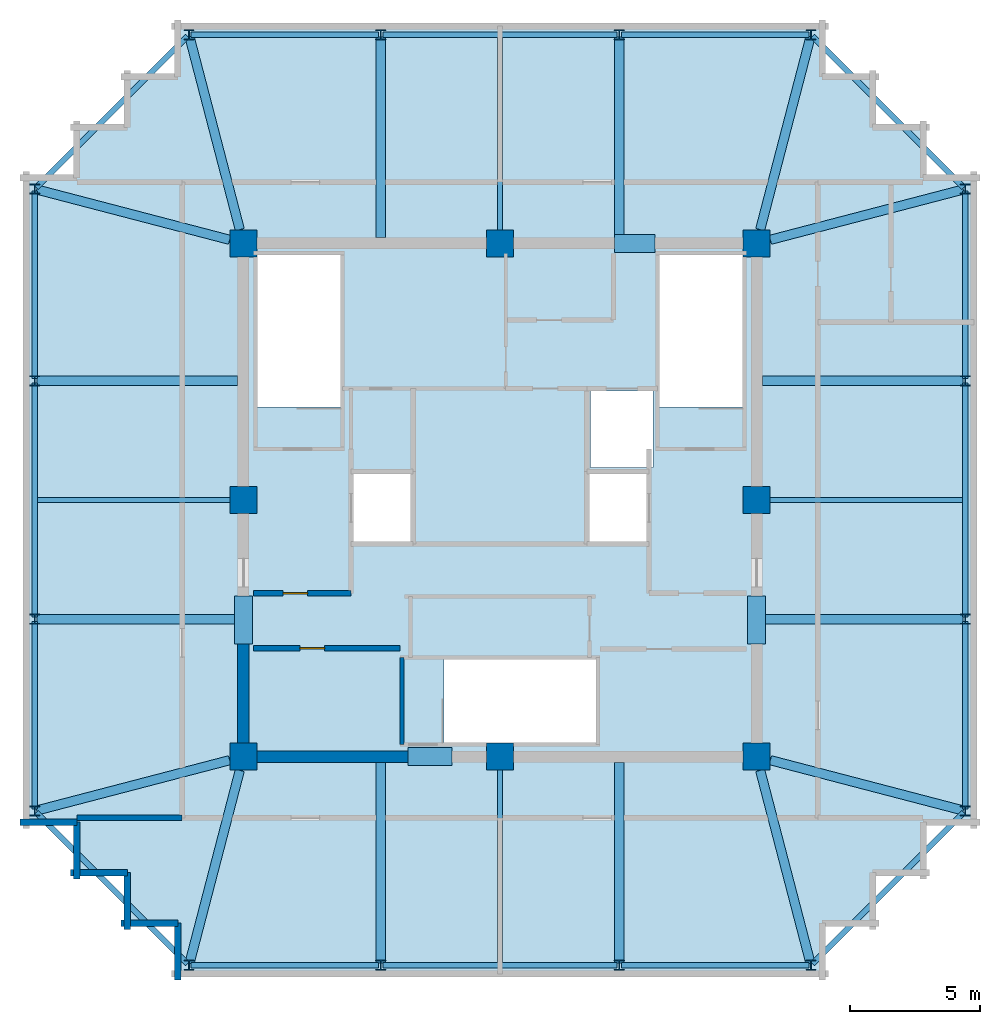
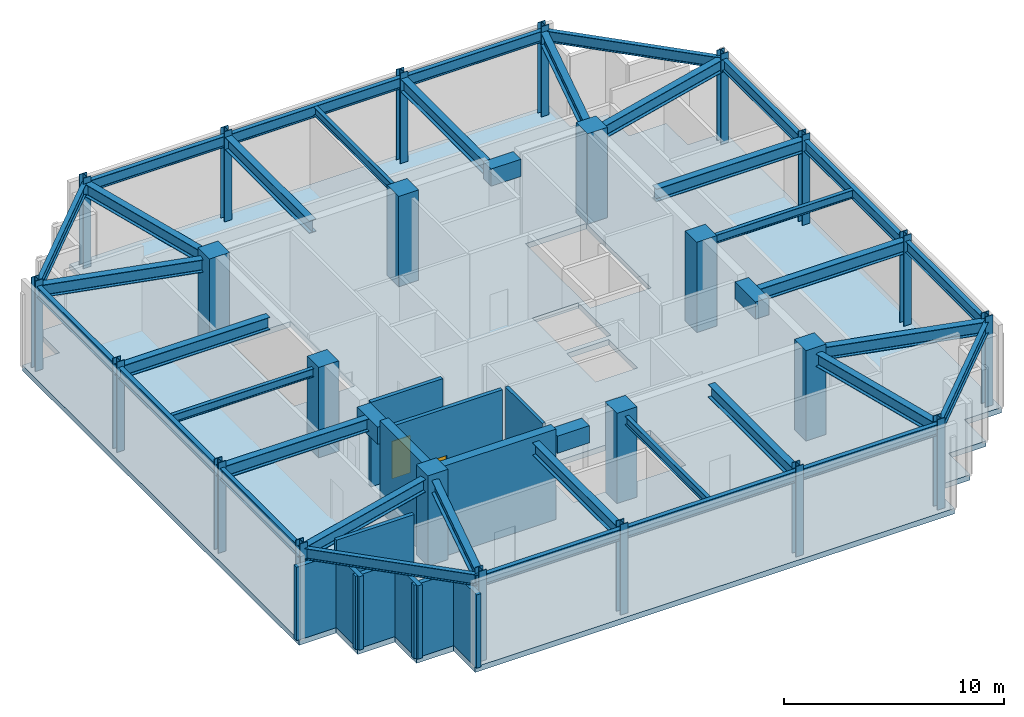
# One storey, part 1 of 4: 40 beams, 24 columns, 12 walls, 2 doors, 1 slab, 2 openings.
"""IFC4 building model written with IfcOpenShell, lengths in metres."""

import ifcopenshell
import ifcopenshell.guid

model = None  # the IFC model being written
_history = None  # IfcOwnerHistory: only IFC2X3 demands one
_inside = {}  # id of a spatial element -> (the spatial element, [elements in it])
_under = {}  # id of a project, library or spatial element -> (it, [spatial elements below it])
_declared = {}  # id of a project -> (the project, [libraries it declares])
_typed = {}  # id of a type object -> (the type object, [elements of that type])
_made_of = {}  # id of a material, layer set ... -> (it, [elements and type objects made of it])


def new_model(schema):
    """Start an empty IFC model of exactly this schema.

    Asked for "IFC4X3", IfcOpenShell would pick the latest addendum, in which some entities
    have other attributes; the version numbers below select the first issue.
    IFC2X3 requires an IfcOwnerHistory on every rooted entity: one is made here for all.
    """
    global model, _history
    if schema == "IFC4X3":
        model = ifcopenshell.file(schema_version=(4, 3, 0, 0))
    else:
        model = ifcopenshell.file(schema=schema)
    _inside.clear()
    _under.clear()
    _declared.clear()
    _typed.clear()
    _made_of.clear()
    _history = None
    if model.schema == "IFC2X3":
        org = make("IfcOrganization", Name="unknown")
        user = make(
            "IfcPersonAndOrganization",
            ThePerson=make("IfcPerson", FamilyName="unknown"),
            TheOrganization=org,
        )
        app = make(
            "IfcApplication",
            ApplicationDeveloper=org,
            Version="unknown",
            ApplicationFullName="unknown",
            ApplicationIdentifier="unknown",
        )
        _history = make(
            "IfcOwnerHistory",
            OwningUser=user,
            OwningApplication=app,
            ChangeAction="ADDED",
            CreationDate=0,
        )
    return model


def make(cls, **values):
    """One entity of the class cls with the attributes given. An attribute that is None is left unset."""
    return model.create_entity(
        cls, **{name: value for name, value in values.items() if value is not None}
    )


def rooted(cls, **values):
    """An entity with a GlobalId (a new one), such as an element, a storey or a relation."""
    return make(cls, GlobalId=ifcopenshell.guid.new(), OwnerHistory=_history, **values)


def si_unit(unit_type, name, prefix=None):
    """IfcSIUnit, for example si_unit("LENGTHUNIT", "METRE", prefix="MILLI")."""
    return make("IfcSIUnit", UnitType=unit_type, Prefix=prefix, Name=name)


def assignment(units):
    """IfcUnitAssignment: the units of a project."""
    return None if units is None else make("IfcUnitAssignment", Units=units)


def point(xyz):
    """IfcCartesianPoint."""
    return None if xyz is None else make("IfcCartesianPoint", Coordinates=xyz)


def direction(xyz):
    """IfcDirection."""
    return None if xyz is None else make("IfcDirection", DirectionRatios=xyz)


def frame(location, z_axis=None, x_axis=None):
    """IfcAxis2Placement3D, a coordinate frame: its origin and axes. An axis left out is left unset."""
    return make(
        "IfcAxis2Placement3D",
        Location=point(location),
        Axis=direction(z_axis),
        RefDirection=direction(x_axis),
    )


def frame_2d(location, x_axis=None):
    """IfcAxis2Placement2D, a coordinate frame in the plane: its origin and x axis."""
    return make(
        "IfcAxis2Placement2D", Location=point(location), RefDirection=direction(x_axis)
    )


def origin():
    """The frame at (0, 0, 0) with its axes left unset."""
    return frame((0.0, 0.0, 0.0))


def origin_2d():
    """The frame at (0, 0) in the plane with its x axis left unset."""
    return frame_2d((0.0, 0.0))


def place(relative_to, where):
    """IfcLocalPlacement: puts the frame where relative to a parent placement (None: the world)."""
    return make(
        "IfcLocalPlacement", PlacementRelTo=relative_to, RelativePlacement=where
    )


def context(
    kind, dimensions, precision=None, world=None, true_north=None, identifier=None
):
    """IfcGeometricRepresentationContext, for example the 3D "Model" context."""
    return make(
        "IfcGeometricRepresentationContext",
        ContextIdentifier=identifier,
        ContextType=kind,
        CoordinateSpaceDimension=dimensions,
        Precision=precision,
        WorldCoordinateSystem=world,
        TrueNorth=true_north,
    )


def subcontext(parent, identifier, kind, view, scale=None):
    """IfcGeometricRepresentationSubContext, for example "Body" below "Model"."""
    return make(
        "IfcGeometricRepresentationSubContext",
        ContextIdentifier=identifier,
        ContextType=kind,
        ParentContext=parent,
        TargetScale=scale,
        TargetView=view,
    )


def project(units=None, contexts=None):
    """IfcProject with its units and contexts."""
    return rooted(
        "IfcProject",
        Name="project",
        RepresentationContexts=contexts,
        UnitsInContext=assignment(units),
    )


def spatial(cls, under=None, at=None, **own):
    """A site, building, storey or space (cls), placed at a placement, below another one or the project."""
    s = rooted(cls, ObjectPlacement=at, **own)
    if under is not None:
        _under.setdefault(under.id(), (under, []))[1].append(s)
    return s


def polyline(points):
    """IfcPolyline through the points."""
    return make("IfcPolyline", Points=[point(p) for p in points])


def profile(cls, at=None, kind="AREA", **sizes):
    """A parametric profile (cls). Its sizes go by their IFC names, for example OverallWidth=200.0."""
    return make(cls, ProfileType=kind, Position=at, **sizes)


def rectangle(**sizes):
    """IfcRectangleProfileDef."""
    return profile("IfcRectangleProfileDef", **sizes)


def i_section(**sizes):
    """IfcIShapeProfileDef."""
    return profile("IfcIShapeProfileDef", **sizes)


def outline(outer, holes=None, kind="AREA"):
    """IfcArbitraryClosedProfileDef: a profile drawn as a closed curve; with holes, ...WithVoids."""
    if holes is None:
        return make("IfcArbitraryClosedProfileDef", ProfileType=kind, OuterCurve=outer)
    return make(
        "IfcArbitraryProfileDefWithVoids",
        ProfileType=kind,
        OuterCurve=outer,
        InnerCurves=holes,
    )


def extrude(swept, where, along, depth):
    """IfcExtrudedAreaSolid: the profile swept, set in the frame where, extruded along a direction by depth."""
    return make(
        "IfcExtrudedAreaSolid",
        SweptArea=swept,
        Position=where,
        ExtrudedDirection=direction(along),
        Depth=depth,
    )


def shape(context_of_items, identifier, shape_type, items):
    """IfcShapeRepresentation: the items that make up one representation, for example the "Body"."""
    return make(
        "IfcShapeRepresentation",
        ContextOfItems=context_of_items,
        RepresentationIdentifier=identifier,
        RepresentationType=shape_type,
        Items=items,
    )


def material(Name=None, Category=None):
    """IfcMaterial."""
    return make("IfcMaterial", Name=Name, Category=Category)


def layer(
    of_material, thickness, ventilated=None, Name=None, Category=None, Priority=None
):
    """IfcMaterialLayer: one layer of a wall or slab, of a material (None: an air gap)."""
    return make(
        "IfcMaterialLayer",
        Material=of_material,
        LayerThickness=thickness,
        IsVentilated=ventilated,
        Name=Name,
        Category=Category,
        Priority=Priority,
    )


def layer_set(layers, Name=None):
    """IfcMaterialLayerSet."""
    return make("IfcMaterialLayerSet", MaterialLayers=layers, LayerSetName=Name)


def material_profile(
    of_material, cross_section, Name=None, Category=None, Priority=None
):
    """IfcMaterialProfile: a cross section and its material."""
    return make(
        "IfcMaterialProfile",
        Name=Name,
        Material=of_material,
        Profile=cross_section,
        Priority=Priority,
        Category=Category,
    )


def profile_set(profiles, Name=None, composite=None):
    """IfcMaterialProfileSet."""
    return make(
        "IfcMaterialProfileSet",
        Name=Name,
        MaterialProfiles=profiles,
        CompositeProfile=composite,
    )


def made_of(thing, what):
    """Note that an element or type object is made of a material, layer set ...; save() writes the relation."""
    if what is not None:
        _made_of.setdefault(what.id(), (what, []))[1].append(thing)
    return thing


def type_object(cls, material=None, **own):
    """A type object (cls), such as IfcWallType, which elements share."""
    return made_of(rooted(cls, **own), material)


def element(
    cls,
    number,
    at=None,
    inside=None,
    cuts=None,
    type_object=None,
    material=None,
    context=None,
    identifier="Body",
    shape_type=None,
    held_by="IfcProductDefinitionShape",
    body=None,
    shapes=None,
    **own,
):
    """One element of the class cls, such as IfcWall. Its Tag is "e" and its number.

    at: its placement. inside: the storey or other place that contains it. cuts: it is an
    opening in that element (IfcRelVoidsElement). A single representation is given by context,
    identifier, shape_type and body (its items); several are given by shapes. held_by: the class
    of the entity that holds the representations. save() writes the other relations.
    """
    e = rooted(cls, Tag="e%d" % number, ObjectPlacement=at, **own)
    if body is not None:
        shapes = [shape(context, identifier, shape_type, body)]
    if shapes is not None:
        e.Representation = make(held_by, Representations=shapes)
    if inside is not None:
        _inside.setdefault(inside.id(), (inside, []))[1].append(e)
    if cuts is not None:
        rooted(
            "IfcRelVoidsElement", RelatingBuildingElement=cuts, RelatedOpeningElement=e
        )
    if type_object is not None:
        _typed.setdefault(type_object.id(), (type_object, []))[1].append(e)
    return made_of(e, material)


def fill(opening, filler):
    """IfcRelFillsElement: the door or window that sits in an opening."""
    return rooted(
        "IfcRelFillsElement",
        RelatingOpeningElement=opening,
        RelatedBuildingElement=filler,
    )


def aggregate(whole, parts):
    """IfcRelAggregates: a whole, such as a stair, and the parts it consists of."""
    return rooted("IfcRelAggregates", RelatingObject=whole, RelatedObjects=parts)


def save(model, path):
    """Write the relations noted so far, then the file.

    IfcRelAggregates (storeys below a building ...), IfcRelContainedInSpatialStructure (elements
    in a storey), IfcRelDefinesByType, IfcRelAssociatesMaterial and IfcRelDeclares: one each for
    every whole, place, type object, material and project.
    """
    for whole, parts in _under.values():
        aggregate(whole, parts)
    for where, things in _inside.values():
        rooted(
            "IfcRelContainedInSpatialStructure",
            RelatedElements=things,
            RelatingStructure=where,
        )
    for kind, things in _typed.values():
        rooted("IfcRelDefinesByType", RelatedObjects=things, RelatingType=kind)
    for what, things in _made_of.values():
        rooted("IfcRelAssociatesMaterial", RelatedObjects=things, RelatingMaterial=what)
    for by, libraries in _declared.values():
        rooted("IfcRelDeclares", RelatingContext=by, RelatedDefinitions=libraries)
    model.write(path)


model = new_model("IFC4")

# Units and contexts
model_context = context("Model", 3, precision=1e-05, world=origin(), true_north=direction((0.0, 1.0)))
body_context = subcontext(model_context, "Body", "Model", "MODEL_VIEW")
ifc_project = project(units=[si_unit("LENGTHUNIT", "METRE"), si_unit("AREAUNIT", "SQUARE_METRE"), si_unit("VOLUMEUNIT", "CUBIC_METRE"), si_unit("PLANEANGLEUNIT", "RADIAN"), si_unit("MASSUNIT", "GRAM", prefix="KILO")], contexts=[model_context])

# Site, building, storey
site_placement = place(None, origin())
site = spatial("IfcSite", under=ifc_project, at=site_placement, CompositionType="ELEMENT")
building_placement = place(site_placement, origin())
building = spatial("IfcBuilding", under=site, at=building_placement, Name="Kolvaren Belvedere", CompositionType="ELEMENT")
storey_placement = place(building_placement, frame((0.0, 0.0, 282.39990234375)))
storey = spatial("IfcBuildingStorey", under=building, at=storey_placement, Name="L80", CompositionType="ELEMENT", Elevation=282.39990234375)

# Columns
ifc_material_1 = material(Name="Concrete C50/60", Category="concrete")
ifc_material_profile_1 = material_profile(ifc_material_1, rectangle(XDim=1.050048828125, YDim=1.050048828125, at=origin_2d()), Name="RC 1050X1050")
ifc_profile_set_1 = profile_set([ifc_material_profile_1], Name="Concrete C50/60")
column_type_1 = type_object("IfcColumnType", Name="COL-RC-1050", PredefinedType="COLUMN", material=ifc_profile_set_1)
for number, where, z_axis, x_axis, name in (
    (1, (-9.89990234375, -9.89990234375, 0.0), (0.0, 0.0, 1.0), (1.0, 0.0, 0.0), "L80 Core Column CC1"),
    (2, (9.89990234375, -9.89990234375, 0.0), (0.0, 0.0, 1.0), (1.0, 0.0, 0.0), "L80 Core Column CC2"),
    (3, (9.89990234375, 9.89990234375, 0.0), (0.0, 0.0, 1.0), (1.0, 0.0, 0.0), "L80 Core Column CC3"),
    (4, (-9.89990234375, 9.89990234375, 0.0), (0.0, 0.0, 1.0), (1.0, 0.0, 0.0), "L80 Core Column CC4"),
    (5, (0.0, -9.89990234375, 0.0), (0.0, 0.0, 1.0), (1.0, 0.0, 0.0), "L80 Core Column CM1"),
    (6, (9.89990234375, 0.0, 0.0), (0.0, 0.0, 1.0), (1.0, 0.0, 0.0), "L80 Core Column CM2"),
    (7, (0.0, 9.89990234375, 0.0), (0.0, 0.0, 1.0), (1.0, 0.0, 0.0), "L80 Core Column CM3"),
    (8, (-9.89990234375, 0.0, 0.0), (0.0, 0.0, 1.0), (1.0, 0.0, 0.0), "L80 Core Column CM4"),
):
    element("IfcColumn", number, at=place(storey_placement, frame(where, z_axis=z_axis, x_axis=x_axis)), inside=storey, type_object=column_type_1, Name=name, PredefinedType="COLUMN", context=body_context, shape_type="SweptSolid", body=[
        extrude(rectangle(XDim=1.050048828125, YDim=1.050048828125, at=origin_2d()), origin(), (0.0, 0.0, 1.0), 5.0),
    ])
ifc_material_2 = material(Name="Structural steel ASTM A992 Grade 50", Category="steel")
ifc_material_profile_2 = material_profile(ifc_material_2, i_section(OverallWidth=0.39892578125, OverallDepth=0.386962890625, WebThickness=0.02099609375, FlangeThickness=0.033203125, FilletRadius=0.02490234375, at=origin_2d()), Name="W14X176")
ifc_profile_set_2 = profile_set([ifc_material_profile_2], Name="Structural steel ASTM A992 Grade 50")
column_type_2 = type_object("IfcColumnType", Name="COL-ST-W14X176", PredefinedType="COLUMN", material=ifc_profile_set_2)
for number, where, z_axis, x_axis, name in (
    (9, (-12.0, -17.949951171875, 0.0), (0.0, 0.0, 1.0), (1.0, 0.0, 0.0), "L80 Perimeter Column S1"),
    (10, (-4.60009765625, -17.949951171875, 0.0), (0.0, 0.0, 1.0), (1.0, 0.0, 0.0), "L80 Perimeter Column S2"),
    (11, (4.60009765625, -17.949951171875, 0.0), (0.0, 0.0, 1.0), (1.0, 0.0, 0.0), "L80 Perimeter Column S3"),
    (12, (12.0, -17.949951171875, 0.0), (0.0, 0.0, 1.0), (1.0, 0.0, 0.0), "L80 Perimeter Column S4"),
    (13, (-12.0, 17.949951171875, 0.0), (0.0, 0.0, 1.0), (1.0, 0.0, 0.0), "L80 Perimeter Column N1"),
    (14, (-4.60009765625, 17.949951171875, 0.0), (0.0, 0.0, 1.0), (1.0, 0.0, 0.0), "L80 Perimeter Column N2"),
    (15, (4.60009765625, 17.949951171875, 0.0), (0.0, 0.0, 1.0), (1.0, 0.0, 0.0), "L80 Perimeter Column N3"),
    (16, (12.0, 17.949951171875, 0.0), (0.0, 0.0, 1.0), (1.0, 0.0, 0.0), "L80 Perimeter Column N4"),
    (17, (-17.949951171875, -12.0, 0.0), (0.0, 0.0, 1.0), (1.0, 0.0, 0.0), "L80 Perimeter Column W1"),
    (18, (-17.949951171875, -4.60009765625, 0.0), (0.0, 0.0, 1.0), (1.0, 0.0, 0.0), "L80 Perimeter Column W2"),
    (19, (-17.949951171875, 4.60009765625, 0.0), (0.0, 0.0, 1.0), (1.0, 0.0, 0.0), "L80 Perimeter Column W3"),
    (20, (-17.949951171875, 12.0, 0.0), (0.0, 0.0, 1.0), (1.0, 0.0, 0.0), "L80 Perimeter Column W4"),
    (21, (17.949951171875, -12.0, 0.0), (0.0, 0.0, 1.0), (1.0, 0.0, 0.0), "L80 Perimeter Column E1"),
    (22, (17.949951171875, -4.60009765625, 0.0), (0.0, 0.0, 1.0), (1.0, 0.0, 0.0), "L80 Perimeter Column E2"),
    (23, (17.949951171875, 4.60009765625, 0.0), (0.0, 0.0, 1.0), (1.0, 0.0, 0.0), "L80 Perimeter Column E3"),
    (24, (17.949951171875, 12.0, 0.0), (0.0, 0.0, 1.0), (1.0, 0.0, 0.0), "L80 Perimeter Column E4"),
):
    element("IfcColumn", number, at=place(storey_placement, frame(where, z_axis=z_axis, x_axis=x_axis)), inside=storey, type_object=column_type_2, Name=name, PredefinedType="COLUMN", context=body_context, shape_type="SweptSolid", body=[
        extrude(i_section(OverallWidth=0.39892578125, OverallDepth=0.386962890625, WebThickness=0.02099609375, FlangeThickness=0.033203125, FilletRadius=0.02490234375, at=origin_2d()), origin(), (0.0, 0.0, 1.0), 5.0),
    ])

# Beams
ifc_material_3 = material(Name="Structural steel ASTM A992 Grade 50", Category="steel")
ifc_material_profile_3 = material_profile(ifc_material_3, i_section(OverallWidth=0.35498046875, OverallDepth=0.696044921875, WebThickness=0.015380859375, FlangeThickness=0.02490234375, FilletRadius=0.02197265625, at=origin_2d()), Name="W27X146")
ifc_profile_set_3 = profile_set([ifc_material_profile_3], Name="Structural steel ASTM A992 Grade 50")
beam_type_1 = type_object("IfcBeamType", Name="BM-GIRD-W27X146", PredefinedType="BEAM", material=ifc_profile_set_3)
for number, where, z_axis, x_axis, name in (
    (25, (4.60009765625, 10.125, 4.33203125), (0.0, 1.0, 0.0), (-1.0, 0.0, 0.0), "L80 North Radial Girder P"),
    (26, (4.60009765625, -10.125, 4.33203125), (0.0, -1.0, 0.0), (1.0, 0.0, 0.0), "L80 South Radial Girder P"),
    (27, (10.125, 4.60009765625, 4.33203125), (1.0, 0.0, 0.0), (0.0, 1.0, 0.0), "L80 East Radial Girder P"),
    (28, (-10.125, 4.60009765625, 4.33203125), (-1.0, 0.0, 0.0), (0.0, -1.0, 0.0), "L80 West Radial Girder P"),
    (29, (-4.60009765625, 10.125, 4.33203125), (0.0, 1.0, 0.0), (-1.0, 0.0, 0.0), "L80 North Radial Girder M"),
    (30, (-4.60009765625, -10.125, 4.33203125), (0.0, -1.0, 0.0), (1.0, 0.0, 0.0), "L80 South Radial Girder M"),
    (31, (10.125, -4.60009765625, 4.33203125), (1.0, 0.0, 0.0), (0.0, 1.0, 0.0), "L80 East Radial Girder M"),
    (32, (-10.125, -4.60009765625, 4.33203125), (-1.0, 0.0, 0.0), (0.0, -1.0, 0.0), "L80 West Radial Girder M"),
):
    element("IfcBeam", number, at=place(storey_placement, frame(where, z_axis=z_axis, x_axis=x_axis)), inside=storey, type_object=beam_type_1, Name=name, PredefinedType="BEAM", context=body_context, shape_type="SweptSolid", body=[
        extrude(i_section(OverallWidth=0.35498046875, OverallDepth=0.696044921875, WebThickness=0.015380859375, FlangeThickness=0.02490234375, FilletRadius=0.02197265625, at=origin_2d()), origin(), (0.0, 0.0, 1.0), 7.73779296875),
    ])
for number, where, z_axis, x_axis, name in (
    (33, (-10.038818359375, -10.43212890625, 4.33203125), (-0.25242577332, -0.967616261213, 0.0), (0.967616261213, -0.25242577332, 0.0), "L80 Corner Core-to-Perimeter Girder CC1-S1"),
    (34, (-10.43212890625, -10.038818359375, 4.33203125), (-0.967616261213, -0.25242577332, 0.0), (0.25242577332, -0.967616261213, 0.0), "L80 Corner Core-to-Perimeter Girder CC1-W1"),
    (35, (10.038818359375, -10.43212890625, 4.33203125), (0.25242577332, -0.967616261213, 0.0), (0.967616261213, 0.25242577332, 0.0), "L80 Corner Core-to-Perimeter Girder CC2-S4"),
    (36, (10.43212890625, -10.038818359375, 4.33203125), (0.967616261213, -0.25242577332, 0.0), (0.25242577332, 0.967616261213, 0.0), "L80 Corner Core-to-Perimeter Girder CC2-E1"),
    (37, (10.038818359375, 10.43212890625, 4.33203125), (0.25242577332, 0.967616261213, 0.0), (-0.967616261213, 0.25242577332, 0.0), "L80 Corner Core-to-Perimeter Girder CC3-N4"),
    (38, (10.43212890625, 10.038818359375, 4.33203125), (0.967616261213, 0.25242577332, 0.0), (-0.25242577332, 0.967616261213, 0.0), "L80 Corner Core-to-Perimeter Girder CC3-E4"),
    (39, (-10.038818359375, 10.43212890625, 4.33203125), (-0.25242577332, 0.967616261213, 0.0), (-0.967616261213, -0.25242577332, 0.0), "L80 Corner Core-to-Perimeter Girder CC4-N1"),
    (40, (-10.43212890625, 10.038818359375, 4.33203125), (-0.967616261213, 0.25242577332, 0.0), (-0.25242577332, -0.967616261213, 0.0), "L80 Corner Core-to-Perimeter Girder CC4-W4"),
):
    element("IfcBeam", number, at=place(storey_placement, frame(where, z_axis=z_axis, x_axis=x_axis)), inside=storey, type_object=beam_type_1, Name=name, PredefinedType="BEAM", context=body_context, shape_type="SweptSolid", body=[
        extrude(i_section(OverallWidth=0.35498046875, OverallDepth=0.696044921875, WebThickness=0.015380859375, FlangeThickness=0.02490234375, FilletRadius=0.02197265625, at=origin_2d()), origin(), (0.0, 0.0, 1.0), 7.69189453125),
    ])
ifc_material_4 = material(Name="Structural steel ASTM A992 Grade 50", Category="steel")
ifc_material_profile_4 = material_profile(ifc_material_4, i_section(OverallWidth=0.19091796875, OverallDepth=0.4599609375, WebThickness=0.010009765625, FlangeThickness=0.01611328125, FilletRadius=0.014892578125, at=origin_2d()), Name="W18X55")
ifc_profile_set_4 = profile_set([ifc_material_profile_4], Name="Structural steel ASTM A992 Grade 50")
beam_type_2 = type_object("IfcBeamType", Name="BM-JOIST-W18X55", PredefinedType="BEAM", material=ifc_profile_set_4)
for number, where, z_axis, x_axis, name in (
    (41, (0.0, 10.125, 4.4501953125), (0.0, 1.0, 0.0), (-1.0, 0.0, 0.0), "L80 North Centre Floor Beam"),
    (42, (0.0, -10.125, 4.4501953125), (0.0, -1.0, 0.0), (1.0, 0.0, 0.0), "L80 South Centre Floor Beam"),
    (43, (10.125, 0.0, 4.4501953125), (1.0, 0.0, 0.0), (0.0, 1.0, 0.0), "L80 East Centre Floor Beam"),
    (44, (-10.125, 0.0, 4.4501953125), (-1.0, 0.0, 0.0), (0.0, -1.0, 0.0), "L80 West Centre Floor Beam"),
):
    element("IfcBeam", number, at=place(storey_placement, frame(where, z_axis=z_axis, x_axis=x_axis)), inside=storey, type_object=beam_type_2, Name=name, PredefinedType="BEAM", context=body_context, shape_type="SweptSolid", body=[
        extrude(i_section(OverallWidth=0.19091796875, OverallDepth=0.4599609375, WebThickness=0.010009765625, FlangeThickness=0.01611328125, FilletRadius=0.014892578125, at=origin_2d()), origin(), (0.0, 0.0, 1.0), 7.71044921875),
    ])
ifc_material_5 = material(Name="Concrete C60/75", Category="concrete")
ifc_material_profile_5 = material_profile(ifc_material_5, rectangle(XDim=0.699951171875, YDim=0.949951171875, at=origin_2d()), Name="RC 700X950")
ifc_profile_set_5 = profile_set([ifc_material_profile_5], Name="Concrete C60/75")
beam_type_3 = type_object("IfcBeamType", Name="BM-LINT-950", PredefinedType="LINTEL", material=ifc_profile_set_5)
beam_1_placement = place(storey_placement, frame((-3.5400390625, -9.89990234375, 4.205078125), z_axis=(1.0, 0.0, 0.0), x_axis=(0.0, 1.0, 0.0)))
element("IfcBeam", 45, at=beam_1_placement, inside=storey, type_object=beam_type_3, Name="L80 South Core Coupling Lintel", PredefinedType="LINTEL", context=body_context, shape_type="SweptSolid", body=[
    extrude(rectangle(XDim=0.699951171875, YDim=0.949951171875, at=origin_2d()), origin(), (0.0, 0.0, 1.0), 1.679931640625),
])
beam_2_placement = place(storey_placement, frame((4.419921875, 9.89990234375, 4.205078125), z_axis=(1.0, 0.0, 0.0), x_axis=(0.0, 1.0, 0.0)))
element("IfcBeam", 46, at=beam_2_placement, inside=storey, type_object=beam_type_3, Name="L80 North Core Coupling Lintel", PredefinedType="LINTEL", context=body_context, shape_type="SweptSolid", body=[
    extrude(rectangle(XDim=0.699951171875, YDim=0.949951171875, at=origin_2d()), origin(), (0.0, 0.0, 1.0), 1.56005859375),
])
for number, where, z_axis, x_axis, name in (
    (47, (-9.89990234375, -5.550048828125, 4.205078125), (0.0, 1.0, 0.0), (-1.0, 0.0, 0.0), "L80 West Core Coupling Lintel"),
    (48, (9.89990234375, -5.550048828125, 4.205078125), (0.0, 1.0, 0.0), (-1.0, 0.0, 0.0), "L80 East Core Coupling Lintel"),
):
    element("IfcBeam", number, at=place(storey_placement, frame(where, z_axis=z_axis, x_axis=x_axis)), inside=storey, type_object=beam_type_3, Name=name, PredefinedType="LINTEL", context=body_context, shape_type="SweptSolid", body=[
        extrude(rectangle(XDim=0.699951171875, YDim=0.949951171875, at=origin_2d()), origin(), (0.0, 0.0, 1.0), 1.85009765625),
    ])
ifc_material_6 = material(Name="Structural steel ASTM A992 Grade 50", Category="steel")
ifc_material_profile_6 = material_profile(ifc_material_6, i_section(OverallWidth=0.22900390625, OverallDepth=0.612060546875, WebThickness=0.011962890625, FlangeThickness=0.01953125, FilletRadius=0.01806640625, at=origin_2d()), Name="W24X84")
ifc_profile_set_6 = profile_set([ifc_material_profile_6], Name="Structural steel ASTM A992 Grade 50")
beam_type_4 = type_object("IfcBeamType", Name="BM-SPAN-W24X84", PredefinedType="SPANDREL", material=ifc_profile_set_6)
beam_3_placement = place(storey_placement, frame((-11.912841796875, -17.949951171875, 4.3740234375), z_axis=(1.0, 0.0, 0.0), x_axis=(0.0, 1.0, 0.0)))
element("IfcBeam", 49, at=beam_3_placement, inside=storey, type_object=beam_type_4, Name="L80 Perimeter Spandrel S1-S2", PredefinedType="SPANDREL", context=body_context, shape_type="SweptSolid", body=[
    extrude(i_section(OverallWidth=0.22900390625, OverallDepth=0.612060546875, WebThickness=0.011962890625, FlangeThickness=0.01953125, FilletRadius=0.01806640625, at=origin_2d()), origin(), (0.0, 0.0, 1.0), 7.225830078125),
])
beam_4_placement = place(storey_placement, frame((-4.512939453125, -17.949951171875, 4.3740234375), z_axis=(1.0, 0.0, 0.0), x_axis=(0.0, 1.0, 0.0)))
element("IfcBeam", 50, at=beam_4_placement, inside=storey, type_object=beam_type_4, Name="L80 Perimeter Spandrel S2-S3", PredefinedType="SPANDREL", context=body_context, shape_type="SweptSolid", body=[
    extrude(i_section(OverallWidth=0.22900390625, OverallDepth=0.612060546875, WebThickness=0.011962890625, FlangeThickness=0.01953125, FilletRadius=0.01806640625, at=origin_2d()), origin(), (0.0, 0.0, 1.0), 9.02587890625),
])
beam_5_placement = place(storey_placement, frame((4.68701171875, -17.949951171875, 4.3740234375), z_axis=(1.0, 0.0, 0.0), x_axis=(0.0, 1.0, 0.0)))
element("IfcBeam", 51, at=beam_5_placement, inside=storey, type_object=beam_type_4, Name="L80 Perimeter Spandrel S3-S4", PredefinedType="SPANDREL", context=body_context, shape_type="SweptSolid", body=[
    extrude(i_section(OverallWidth=0.22900390625, OverallDepth=0.612060546875, WebThickness=0.011962890625, FlangeThickness=0.01953125, FilletRadius=0.01806640625, at=origin_2d()), origin(), (0.0, 0.0, 1.0), 7.225830078125),
])
beam_6_placement = place(storey_placement, frame((12.0615234375, -17.888427734375, 4.3740234375), z_axis=(0.707106781187, 0.707106781187, 0.0), x_axis=(-0.707106781187, 0.707106781187, 0.0)))
element("IfcBeam", 52, at=beam_6_placement, inside=storey, type_object=beam_type_4, Name="L80 Perimeter Spandrel S4-E1", PredefinedType="SPANDREL", context=body_context, shape_type="SweptSolid", body=[
    extrude(i_section(OverallWidth=0.22900390625, OverallDepth=0.612060546875, WebThickness=0.011962890625, FlangeThickness=0.01953125, FilletRadius=0.01806640625, at=origin_2d()), origin(), (0.0, 0.0, 1.0), 8.240478515625),
])
beam_7_placement = place(storey_placement, frame((17.949951171875, -11.912841796875, 4.3740234375), z_axis=(0.0, 1.0, 0.0), x_axis=(-1.0, 0.0, 0.0)))
element("IfcBeam", 53, at=beam_7_placement, inside=storey, type_object=beam_type_4, Name="L80 Perimeter Spandrel E1-E2", PredefinedType="SPANDREL", context=body_context, shape_type="SweptSolid", body=[
    extrude(i_section(OverallWidth=0.22900390625, OverallDepth=0.612060546875, WebThickness=0.011962890625, FlangeThickness=0.01953125, FilletRadius=0.01806640625, at=origin_2d()), origin(), (0.0, 0.0, 1.0), 7.225830078125),
])
beam_8_placement = place(storey_placement, frame((17.949951171875, -4.512939453125, 4.3740234375), z_axis=(0.0, 1.0, 0.0), x_axis=(-1.0, 0.0, 0.0)))
element("IfcBeam", 54, at=beam_8_placement, inside=storey, type_object=beam_type_4, Name="L80 Perimeter Spandrel E2-E3", PredefinedType="SPANDREL", context=body_context, shape_type="SweptSolid", body=[
    extrude(i_section(OverallWidth=0.22900390625, OverallDepth=0.612060546875, WebThickness=0.011962890625, FlangeThickness=0.01953125, FilletRadius=0.01806640625, at=origin_2d()), origin(), (0.0, 0.0, 1.0), 9.02587890625),
])
beam_9_placement = place(storey_placement, frame((17.949951171875, 4.68701171875, 4.3740234375), z_axis=(0.0, 1.0, 0.0), x_axis=(-1.0, 0.0, 0.0)))
element("IfcBeam", 55, at=beam_9_placement, inside=storey, type_object=beam_type_4, Name="L80 Perimeter Spandrel E3-E4", PredefinedType="SPANDREL", context=body_context, shape_type="SweptSolid", body=[
    extrude(i_section(OverallWidth=0.22900390625, OverallDepth=0.612060546875, WebThickness=0.011962890625, FlangeThickness=0.01953125, FilletRadius=0.01806640625, at=origin_2d()), origin(), (0.0, 0.0, 1.0), 7.225830078125),
])
beam_10_placement = place(storey_placement, frame((17.888427734375, 12.0615234375, 4.3740234375), z_axis=(-0.707106781187, 0.707106781187, 0.0), x_axis=(-0.707106781187, -0.707106781187, 0.0)))
element("IfcBeam", 56, at=beam_10_placement, inside=storey, type_object=beam_type_4, Name="L80 Perimeter Spandrel E4-N4", PredefinedType="SPANDREL", context=body_context, shape_type="SweptSolid", body=[
    extrude(i_section(OverallWidth=0.22900390625, OverallDepth=0.612060546875, WebThickness=0.011962890625, FlangeThickness=0.01953125, FilletRadius=0.01806640625, at=origin_2d()), origin(), (0.0, 0.0, 1.0), 8.240478515625),
])
beam_11_placement = place(storey_placement, frame((11.912841796875, 17.949951171875, 4.3740234375), z_axis=(-1.0, 0.0, 0.0), x_axis=(0.0, -1.0, 0.0)))
element("IfcBeam", 57, at=beam_11_placement, inside=storey, type_object=beam_type_4, Name="L80 Perimeter Spandrel N4-N3", PredefinedType="SPANDREL", context=body_context, shape_type="SweptSolid", body=[
    extrude(i_section(OverallWidth=0.22900390625, OverallDepth=0.612060546875, WebThickness=0.011962890625, FlangeThickness=0.01953125, FilletRadius=0.01806640625, at=origin_2d()), origin(), (0.0, 0.0, 1.0), 7.225830078125),
])
beam_12_placement = place(storey_placement, frame((4.512939453125, 17.949951171875, 4.3740234375), z_axis=(-1.0, 0.0, 0.0), x_axis=(0.0, -1.0, 0.0)))
element("IfcBeam", 58, at=beam_12_placement, inside=storey, type_object=beam_type_4, Name="L80 Perimeter Spandrel N3-N2", PredefinedType="SPANDREL", context=body_context, shape_type="SweptSolid", body=[
    extrude(i_section(OverallWidth=0.22900390625, OverallDepth=0.612060546875, WebThickness=0.011962890625, FlangeThickness=0.01953125, FilletRadius=0.01806640625, at=origin_2d()), origin(), (0.0, 0.0, 1.0), 9.02587890625),
])
beam_13_placement = place(storey_placement, frame((-4.68701171875, 17.949951171875, 4.3740234375), z_axis=(-1.0, 0.0, 0.0), x_axis=(0.0, -1.0, 0.0)))
element("IfcBeam", 59, at=beam_13_placement, inside=storey, type_object=beam_type_4, Name="L80 Perimeter Spandrel N2-N1", PredefinedType="SPANDREL", context=body_context, shape_type="SweptSolid", body=[
    extrude(i_section(OverallWidth=0.22900390625, OverallDepth=0.612060546875, WebThickness=0.011962890625, FlangeThickness=0.01953125, FilletRadius=0.01806640625, at=origin_2d()), origin(), (0.0, 0.0, 1.0), 7.225830078125),
])
beam_14_placement = place(storey_placement, frame((-12.0615234375, 17.888427734375, 4.3740234375), z_axis=(-0.707106781187, -0.707106781187, 0.0), x_axis=(0.707106781187, -0.707106781187, 0.0)))
element("IfcBeam", 60, at=beam_14_placement, inside=storey, type_object=beam_type_4, Name="L80 Perimeter Spandrel N1-W4", PredefinedType="SPANDREL", context=body_context, shape_type="SweptSolid", body=[
    extrude(i_section(OverallWidth=0.22900390625, OverallDepth=0.612060546875, WebThickness=0.011962890625, FlangeThickness=0.01953125, FilletRadius=0.01806640625, at=origin_2d()), origin(), (0.0, 0.0, 1.0), 8.240478515625),
])
beam_15_placement = place(storey_placement, frame((-17.949951171875, 11.912841796875, 4.3740234375), z_axis=(0.0, -1.0, 0.0), x_axis=(1.0, 0.0, 0.0)))
element("IfcBeam", 61, at=beam_15_placement, inside=storey, type_object=beam_type_4, Name="L80 Perimeter Spandrel W4-W3", PredefinedType="SPANDREL", context=body_context, shape_type="SweptSolid", body=[
    extrude(i_section(OverallWidth=0.22900390625, OverallDepth=0.612060546875, WebThickness=0.011962890625, FlangeThickness=0.01953125, FilletRadius=0.01806640625, at=origin_2d()), origin(), (0.0, 0.0, 1.0), 7.225830078125),
])
beam_16_placement = place(storey_placement, frame((-17.949951171875, 4.512939453125, 4.3740234375), z_axis=(0.0, -1.0, 0.0), x_axis=(1.0, 0.0, 0.0)))
element("IfcBeam", 62, at=beam_16_placement, inside=storey, type_object=beam_type_4, Name="L80 Perimeter Spandrel W3-W2", PredefinedType="SPANDREL", context=body_context, shape_type="SweptSolid", body=[
    extrude(i_section(OverallWidth=0.22900390625, OverallDepth=0.612060546875, WebThickness=0.011962890625, FlangeThickness=0.01953125, FilletRadius=0.01806640625, at=origin_2d()), origin(), (0.0, 0.0, 1.0), 9.02587890625),
])
beam_17_placement = place(storey_placement, frame((-17.949951171875, -4.68701171875, 4.3740234375), z_axis=(0.0, -1.0, 0.0), x_axis=(1.0, 0.0, 0.0)))
element("IfcBeam", 63, at=beam_17_placement, inside=storey, type_object=beam_type_4, Name="L80 Perimeter Spandrel W2-W1", PredefinedType="SPANDREL", context=body_context, shape_type="SweptSolid", body=[
    extrude(i_section(OverallWidth=0.22900390625, OverallDepth=0.612060546875, WebThickness=0.011962890625, FlangeThickness=0.01953125, FilletRadius=0.01806640625, at=origin_2d()), origin(), (0.0, 0.0, 1.0), 7.225830078125),
])
beam_18_placement = place(storey_placement, frame((-17.888427734375, -12.0615234375, 4.3740234375), z_axis=(0.707106781187, -0.707106781187, 0.0), x_axis=(0.707106781187, 0.707106781187, 0.0)))
element("IfcBeam", 64, at=beam_18_placement, inside=storey, type_object=beam_type_4, Name="L80 Perimeter Spandrel W1-S1", PredefinedType="SPANDREL", context=body_context, shape_type="SweptSolid", body=[
    extrude(i_section(OverallWidth=0.22900390625, OverallDepth=0.612060546875, WebThickness=0.011962890625, FlangeThickness=0.01953125, FilletRadius=0.01806640625, at=origin_2d()), origin(), (0.0, 0.0, 1.0), 8.240478515625),
])

# Slab
ifc_material_7 = material(Name="Concrete C50/60", Category="concrete")
ifc_layer_1 = layer(ifc_material_7, 0.300048828125)
ifc_layer_set_1 = layer_set([ifc_layer_1], Name="Concrete C50/60")
slab_type = type_object("IfcSlabType", Name="SL-FLR-300", PredefinedType="FLOOR", material=ifc_layer_set_1)
slab_placement = place(storey_placement, frame((0.0, 0.0, -0.2998046875)))
element("IfcSlab", 65, at=slab_placement, inside=storey, type_object=slab_type, Name="L80 Primary Structural Slab", PredefinedType="FLOOR", context=body_context, shape_type="SweptSolid", body=[
    extrude(outline(polyline([(-12.550048828125, -18.39990234375), (12.550048828125, -18.39990234375), (12.550048828125, -16.449951171875), (14.5, -16.449951171875), (14.5, -14.5), (16.449951171875, -14.5), (16.449951171875, -12.550048828125), (18.39990234375, -12.550048828125), (18.39990234375, 12.550048828125), (16.449951171875, 12.550048828125), (16.449951171875, 14.5), (14.5, 14.5), (14.5, 16.449951171875), (12.550048828125, 16.449951171875), (12.550048828125, 18.39990234375), (-12.550048828125, 18.39990234375), (-12.550048828125, 16.449951171875), (-14.5, 16.449951171875), (-14.5, 14.5), (-16.449951171875, 14.5), (-16.449951171875, 12.550048828125), (-18.39990234375, 12.550048828125), (-18.39990234375, -12.550048828125), (-16.449951171875, -12.550048828125), (-16.449951171875, -14.5), (-14.5, -14.5), (-14.5, -16.449951171875), (-12.550048828125, -16.449951171875), (-12.550048828125, -18.39990234375)]), holes=[polyline([(-9.35009765625, 3.580078125), (-6.159912109375, 3.580078125), (-6.159912109375, 9.449951171875), (-9.35009765625, 9.449951171875), (-9.35009765625, 3.580078125)]), polyline([(6.159912109375, 3.580078125), (9.35009765625, 3.580078125), (9.35009765625, 9.449951171875), (6.159912109375, 9.449951171875), (6.159912109375, 3.580078125)]), polyline([(-2.169921875, -9.35009765625), (3.699951171875, -9.35009765625), (3.699951171875, -6.159912109375), (-2.169921875, -6.159912109375), (-2.169921875, -9.35009765625)]), polyline([(-5.64990234375, -1.60009765625), (-3.449951171875, -1.60009765625), (-3.449951171875, 1.0), (-5.64990234375, 1.0), (-5.64990234375, -1.60009765625)]), polyline([(3.5, 1.25), (5.89990234375, 1.25), (5.89990234375, 4.199951171875), (3.5, 4.199951171875), (3.5, 1.25)]), polyline([(3.449951171875, -1.60009765625), (5.64990234375, -1.60009765625), (5.64990234375, 1.0), (3.449951171875, 1.0), (3.449951171875, -1.60009765625)])]), origin(), (0.0, 0.0, 1.0), 0.2998046875),
])

# Walls
ifc_material_8 = material(Name="Concrete C50/60", Category="concrete")
ifc_layer_2 = layer(ifc_material_8, 0.449951171875)
ifc_layer_set_2 = layer_set([ifc_layer_2], Name="Concrete C50/60")
wall_type_1 = type_object("IfcWallType", Name="CW-CORE-450", PredefinedType="SHEAR", material=ifc_layer_set_2)
wall_1_placement = place(storey_placement, frame((-3.5400390625, -9.89990234375, 0.0), z_axis=(0.0, 0.0, 1.0), x_axis=(-1.0, 0.0, 0.0)))
element("IfcWall", 66, at=wall_1_placement, inside=storey, type_object=wall_type_1, Name="L80 South Core Shear Wall 2", PredefinedType="SHEAR", context=body_context, shape_type="SweptSolid", body=[
    extrude(rectangle(XDim=6.5849609375, YDim=0.449951171875, at=frame_2d((3.29248046875, 0.0))), origin(), (0.0, 0.0, 1.0), 5.0),
])
wall_2_placement = place(storey_placement, frame((-9.89990234375, -9.675048828125, 0.0), z_axis=(0.0, 0.0, 1.0), x_axis=(0.0, 1.0, 0.0)))
element("IfcWall", 67, at=wall_2_placement, inside=storey, type_object=wall_type_1, Name="L80 West Core Shear Wall 1", PredefinedType="SHEAR", context=body_context, shape_type="SweptSolid", body=[
    extrude(rectangle(XDim=4.125, YDim=0.449951171875, at=frame_2d((2.0625, 0.0))), origin(), (0.0, 0.0, 1.0), 5.0),
])
ifc_material_9 = material(Name="Concrete C50/60", Category="concrete")
ifc_layer_3 = layer(ifc_material_9, 0.159912109375)
ifc_layer_set_3 = layer_set([ifc_layer_3], Name="Concrete C50/60")
wall_type_2 = type_object("IfcWallType", Name="CW-STAIR-160", PredefinedType="SHEAR", material=ifc_layer_set_3)
wall_3_placement = place(storey_placement, frame((-3.780029296875, -9.429931640625, 0.0), z_axis=(0.0, 0.0, 1.0), x_axis=(0.0, 1.0, 0.0)))
element("IfcWall", 68, at=wall_3_placement, inside=storey, type_object=wall_type_2, Name="L80 Stair ST-3 West Shear Wall", PredefinedType="SHEAR", context=body_context, shape_type="SweptSolid", body=[
    extrude(rectangle(XDim=3.349853515625, YDim=0.159912109375, at=frame_2d((1.6748046875, 0.0))), origin(), (0.0, 0.0, 1.0), 5.0),
])
ifc_material_10 = material(Name="Insulated acoustic pale-metal louvre wall", Category="aluminium")
ifc_layer_4 = layer(ifc_material_10, 0.239990234375)
ifc_layer_set_4 = layer_set([ifc_layer_4], Name="Insulated acoustic pale-metal louvre wall")
wall_type_3 = type_object("IfcWallType", Name="WL-LOUV-240", PredefinedType="STANDARD", material=ifc_layer_set_4)
wall_4_placement = place(storey_placement, frame((-16.330078125, -12.429931640625, 0.0), z_axis=(0.0, 0.0, 1.0), x_axis=(-1.0, 0.0, 0.0)))
element("IfcWall", 69, at=wall_4_placement, inside=storey, type_object=wall_type_3, Name="L80 Acoustic Louvre Facade Wall 23", PredefinedType="STANDARD", context=body_context, shape_type="SweptSolid", body=[
    extrude(rectangle(XDim=2.18994140625, YDim=0.239990234375, at=frame_2d((1.094970703125, 0.0))), origin(), (0.0, 0.0, 1.0), 4.06298828125),
])
for number, where, z_axis, x_axis, name in (
    (70, (-16.330078125, -14.6201171875, 0.0), (0.0, 0.0, 1.0), (0.0, 1.0, 0.0), "L80 Acoustic Louvre Facade Wall 24"),
    (71, (-14.3798828125, -14.3798828125, 0.0), (0.0, 0.0, 1.0), (-1.0, 0.0, 0.0), "L80 Acoustic Louvre Facade Wall 25"),
    (72, (-14.3798828125, -16.570068359375, 0.0), (0.0, 0.0, 1.0), (0.0, 1.0, 0.0), "L80 Acoustic Louvre Facade Wall 26"),
    (73, (-12.429931640625, -16.330078125, 0.0), (0.0, 0.0, 1.0), (-1.0, 0.0, 0.0), "L80 Acoustic Louvre Facade Wall 27"),
):
    element("IfcWall", number, at=place(storey_placement, frame(where, z_axis=z_axis, x_axis=x_axis)), inside=storey, type_object=wall_type_3, Name=name, PredefinedType="STANDARD", context=body_context, shape_type="SweptSolid", body=[
        extrude(rectangle(XDim=2.190185546875, YDim=0.239990234375, at=frame_2d((1.09521484375, 0.0))), origin(), (0.0, 0.0, 1.0), 4.06298828125),
    ])
wall_5_placement = place(storey_placement, frame((-12.429931640625, -18.52001953125, 0.0), z_axis=(0.0, 0.0, 1.0), x_axis=(0.0, 1.0, 0.0)))
element("IfcWall", 74, at=wall_5_placement, inside=storey, type_object=wall_type_3, Name="L80 Acoustic Louvre Facade Wall 28", PredefinedType="STANDARD", context=body_context, shape_type="SweptSolid", body=[
    extrude(rectangle(XDim=2.18994140625, YDim=0.239990234375, at=frame_2d((1.094970703125, 0.0))), origin(), (0.0, 0.0, 1.0), 4.06298828125),
])

# Wall, opening, door
ifc_material_11 = material(Name="Concrete C50/60", Category="concrete")
ifc_layer_5 = layer(ifc_material_11, 0.199951171875)
ifc_layer_set_5 = layer_set([ifc_layer_5], Name="Concrete C50/60")
wall_type_4 = type_object("IfcWallType", Name="WL-SHAFT-200", PredefinedType="SOLIDWALL", material=ifc_layer_set_5)
wall_6_placement = place(storey_placement, frame((-9.52001953125, -3.60009765625, 0.0), z_axis=(0.0, 0.0, 1.0), x_axis=(1.0, 0.0, 0.0)))
wall_6 = element("IfcWall", 75, at=wall_6_placement, inside=storey, type_object=wall_type_4, Name="L80 West FSAE Lobby South Wall", PredefinedType="SOLIDWALL", context=body_context, shape_type="SweptSolid", body=[
    extrude(rectangle(XDim=3.77001953125, YDim=0.199951171875, at=frame_2d((1.885009765625, 0.0))), origin(), (0.0, 0.0, 1.0), 4.68017578125),
])
opening_1_placement = place(wall_6_placement, frame((1.14990234375, 0.0, 0.0)))
opening_1 = element("IfcOpeningElement", 76, at=opening_1_placement, cuts=wall_6, Name="Opening D-FD60", PredefinedType="OPENING", context=body_context, shape_type="SweptSolid", body=[
    extrude(rectangle(XDim=0.949951171875, YDim=2.06005859375, at=frame_2d((0.47509765625, 1.030029296875))), frame((0.0, 0.10986328125, 0.0), z_axis=(0.0, -1.0, 0.0), x_axis=(1.0, 0.0, 0.0)), (0.0, 0.0, 1.0), 0.219970703125),
])
ifc_material_12 = material(Name="Acoustic white-oak fire door leaf", Category="timber")
door_type = type_object("IfcDoorType", Name="DR-FD60-950", OperationType="NOTDEFINED", PredefinedType="DOOR", material=ifc_material_12)
door_1_placement = place(opening_1_placement, origin())
door_1 = element("IfcDoor", 77, at=door_1_placement, inside=storey, type_object=door_type, Name="L80 SW Lobby Fire Door", OperationType="SINGLE_SWING_LEFT", OverallHeight=2.06005859375, OverallWidth=0.949951171875, PredefinedType="DOOR", context=body_context, shape_type="SweptSolid", body=[
    extrude(rectangle(XDim=0.949951171875, YDim=2.06005859375, at=frame_2d((0.47509765625, 1.030029296875))), frame((0.0, 0.02490234375, 0.0), z_axis=(0.0, -1.0, 0.0), x_axis=(1.0, 0.0, 0.0)), (0.0, 0.0, 1.0), 0.050048828125),
])
fill(opening_1, door_1)

wall_7_placement = place(storey_placement, frame((-9.52001953125, -5.719970703125, 0.0), z_axis=(0.0, 0.0, 1.0), x_axis=(1.0, 0.0, 0.0)))
wall_7 = element("IfcWall", 78, at=wall_7_placement, inside=storey, type_object=wall_type_4, Name="L80 Reclaimed Mid Room North Wall", PredefinedType="SOLIDWALL", context=body_context, shape_type="SweptSolid", body=[
    extrude(rectangle(XDim=5.659912109375, YDim=0.199951171875, at=frame_2d((2.830078125, 0.0))), origin(), (0.0, 0.0, 1.0), 4.68017578125),
])
opening_2_placement = place(wall_7_placement, frame((1.800048828125, 0.0, 0.0)))
opening_2 = element("IfcOpeningElement", 79, at=opening_2_placement, cuts=wall_7, Name="Opening D-FD60", PredefinedType="OPENING", context=body_context, shape_type="SweptSolid", body=[
    extrude(rectangle(XDim=0.949951171875, YDim=2.06005859375, at=frame_2d((0.47509765625, 1.030029296875))), frame((0.0, 0.10986328125, 0.0), z_axis=(0.0, -1.0, 0.0), x_axis=(1.0, 0.0, 0.0)), (0.0, 0.0, 1.0), 0.219970703125),
])
door_2_placement = place(opening_2_placement, origin())
door_2 = element("IfcDoor", 80, at=door_2_placement, inside=storey, type_object=door_type, Name="L80 Smoke Control Mechanical Plant Entry Door", OperationType="SINGLE_SWING_LEFT", OverallHeight=2.06005859375, OverallWidth=0.949951171875, PredefinedType="DOOR", context=body_context, shape_type="SweptSolid", body=[
    extrude(rectangle(XDim=0.949951171875, YDim=2.06005859375, at=frame_2d((0.47509765625, 1.030029296875))), frame((0.0, 0.02490234375, 0.0), z_axis=(0.0, -1.0, 0.0), x_axis=(1.0, 0.0, 0.0)), (0.0, 0.0, 1.0), 0.050048828125),
])
fill(opening_2, door_2)

# Wall
wall_8_placement = place(storey_placement, frame((-16.320068359375, -12.260009765625, 0.0), z_axis=(0.0, 0.0, 1.0), x_axis=(1.0, 0.0, 0.0)))
element("IfcWall", 81, at=wall_8_placement, inside=storey, type_object=wall_type_4, Name="L80 Sector Wall PW-L80-QSW", PredefinedType="SOLIDWALL", context=body_context, shape_type="SweptSolid", body=[
    extrude(rectangle(XDim=4.06005859375, YDim=0.199951171875, at=frame_2d((2.030029296875, 0.0))), origin(), (0.0, 0.0, 1.0), 4.68017578125),
])

save(model, "model.ifc")
